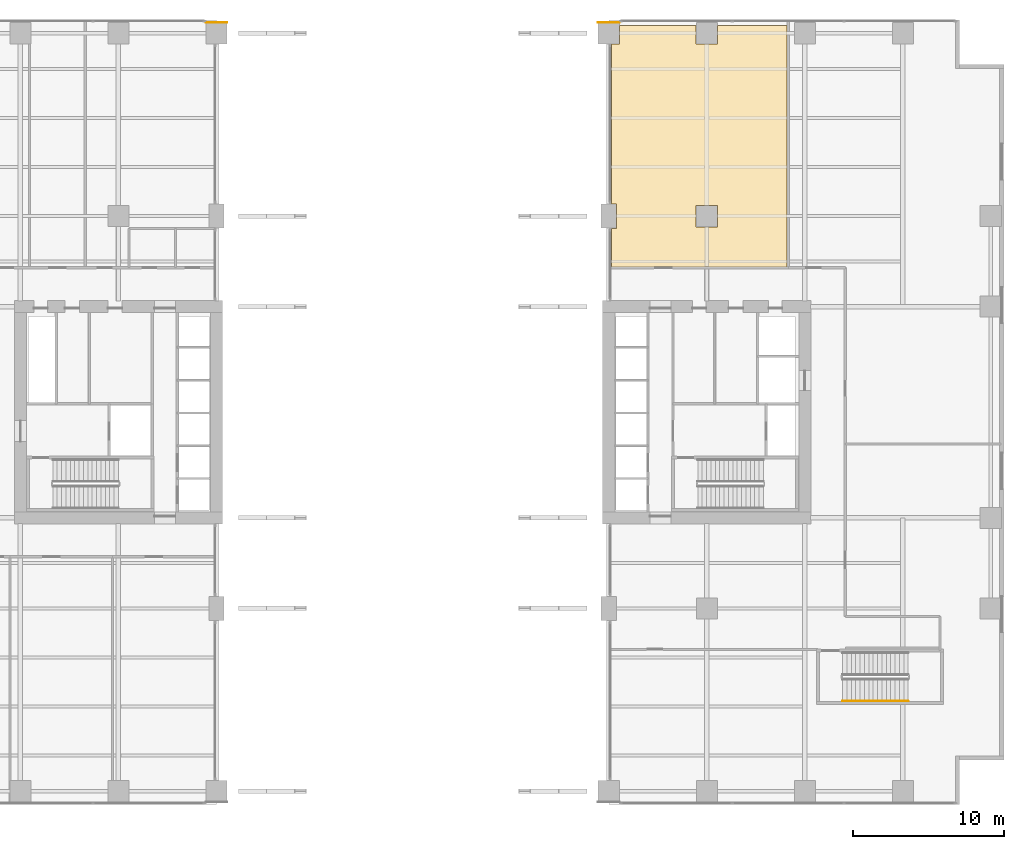
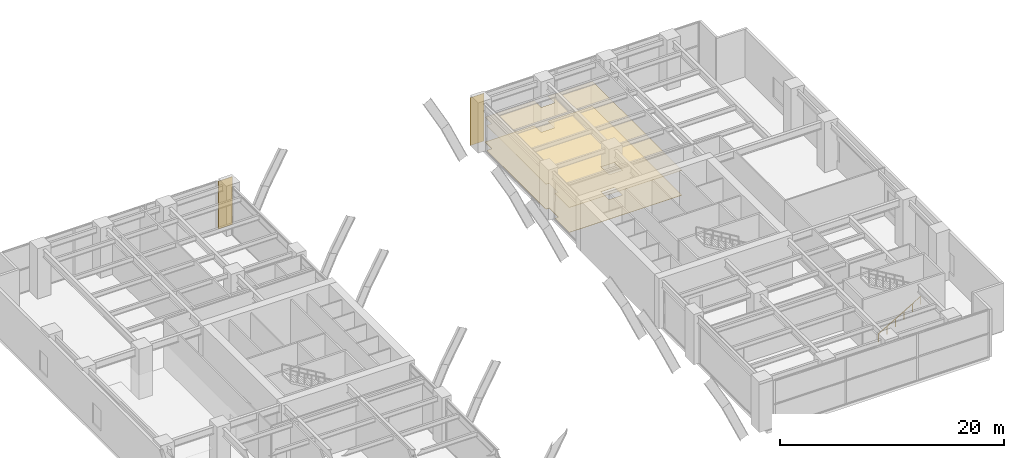
# One storey, part 16 of 17: 4 coverings, 1 railing.
"""IFC4 building model written with IfcOpenShell, lengths in metres."""

from ifc_helpers import new_model, si_unit, direction, frame, origin, origin_2d, place, context, subcontext, project, spatial, polyline, rectangle, circle, outline, extrude, material, layer, layer_set, type_object, element, save


model = new_model("IFC4")

# Units and contexts
model_context = context("Model", 3, precision=1e-05, world=origin(), true_north=direction((0.0, 1.0)))
body_context = subcontext(model_context, "Body", "Model", "MODEL_VIEW")
ifc_project = project(units=[si_unit("LENGTHUNIT", "METRE"), si_unit("AREAUNIT", "SQUARE_METRE"), si_unit("VOLUMEUNIT", "CUBIC_METRE"), si_unit("PLANEANGLEUNIT", "RADIAN"), si_unit("MASSUNIT", "GRAM", prefix="KILO")], contexts=[model_context])

# Site, building, storey
site_placement = place(None, origin())
site = spatial("IfcSite", under=ifc_project, at=site_placement, CompositionType="ELEMENT")
building_placement = place(site_placement, origin())
building = spatial("IfcBuilding", under=site, at=building_placement, Name="Putna Gate Headquarters", CompositionType="ELEMENT")
storey_placement = place(building_placement, frame((0.0, 0.0, 6.0)))
storey = spatial("IfcBuildingStorey", under=building, at=storey_placement, Name="L01", CompositionType="ELEMENT", Elevation=6.0)

# Coverings
ifc_material_1 = material(Name="Perforated mineral-fibre acoustic ceiling tile")
ifc_layer_1 = layer(ifc_material_1, 0.0400390625)
ifc_layer_set_1 = layer_set([ifc_layer_1], Name="Perforated mineral-fibre acoustic ceiling tile")
covering_type_1 = type_object("IfcCoveringType", Name="COV-ACOUSTIC-CEILING", PredefinedType="CEILING", material=ifc_layer_set_1)
covering_1_placement = place(storey_placement, frame((0.0, 0.0, 2.7099609375)))
element("IfcCovering", 1, at=covering_1_placement, inside=storey, type_object=covering_type_1, Name="L01 Acoustic Ceiling Covering 2", PredefinedType="CEILING", context=body_context, shape_type="SweptSolid", body=[
    extrude(outline(polyline([(52.179931640625, 35.6298828125), (63.820068359375, 35.6298828125), (63.820068359375, 51.6201171875), (59.2080078125, 51.6201171875), (59.2080078125, 50.412109375), (57.7919921875, 50.412109375), (57.7919921875, 51.6201171875), (52.7080078125, 51.6201171875), (52.7080078125, 50.412109375), (52.179931640625, 50.412109375), (52.179931640625, 39.80810546875), (52.508056640625, 39.80810546875), (52.508056640625, 38.19189453125), (52.179931640625, 38.19189453125), (52.179931640625, 35.6298828125)]), holes=[polyline([(59.2080078125, 38.2919921875), (59.2080078125, 39.7080078125), (57.7919921875, 39.7080078125), (57.7919921875, 38.2919921875), (59.2080078125, 38.2919921875)])]), origin(), (0.0, 0.0, 1.0), 0.0400390625),
])
ifc_material_2 = material(Name="Anodised architectural bronze rainscreen cladding", Category="aluminium")
ifc_layer_2 = layer(ifc_material_2, 0.0400390625)
ifc_layer_set_2 = layer_set([ifc_layer_2], Name="Anodised architectural bronze rainscreen cladding")
covering_type_2 = type_object("IfcCoveringType", Name="COV-BRONZE-CLADDING", PredefinedType="CLADDING", material=ifc_layer_set_2)
for number, where, z_axis, x_axis, name in (
    (2, (26.0, 51.8349609375, 0.0), (0.0, 0.0, 1.0), (1.0, 0.0, 0.0), "L01 Giant Arch Pier Bronze Cladding WN"),
    (3, (52.0, 51.8349609375, 0.0), (0.0, 0.0, 1.0), (1.0, 0.0, 0.0), "L01 Giant Arch Pier Bronze Cladding EN"),
):
    element("IfcCovering", number, at=place(storey_placement, frame(where, z_axis=z_axis, x_axis=x_axis)), inside=storey, type_object=covering_type_2, Name=name, PredefinedType="CLADDING", context=body_context, shape_type="SweptSolid", body=[
        extrude(rectangle(XDim=1.43994140625, YDim=0.0400390625, at=origin_2d()), origin(), (0.0, 0.0, 1.0), 5.219970703125),
    ])
ifc_material_3 = material(Name="Calcium-sulphate raised access floor finish")
ifc_layer_3 = layer(ifc_material_3, 0.030029296875)
ifc_layer_set_3 = layer_set([ifc_layer_3], Name="Calcium-sulphate raised access floor finish")
covering_type_3 = type_object("IfcCoveringType", Name="COV-RAISED-FLOORING", PredefinedType="FLOORING", material=ifc_layer_set_3)
covering_2_placement = place(storey_placement, origin())
element("IfcCovering", 4, at=covering_2_placement, inside=storey, type_object=covering_type_3, Name="L01 Raised Access Floor Covering 2", PredefinedType="FLOORING", context=body_context, shape_type="SweptSolid", body=[
    extrude(outline(polyline([(52.179931640625, 35.6298828125), (63.820068359375, 35.6298828125), (63.820068359375, 51.6201171875), (59.2080078125, 51.6201171875), (59.2080078125, 50.412109375), (57.7919921875, 50.412109375), (57.7919921875, 51.6201171875), (52.7080078125, 51.6201171875), (52.7080078125, 50.412109375), (52.179931640625, 50.412109375), (52.179931640625, 39.80810546875), (52.508056640625, 39.80810546875), (52.508056640625, 38.19189453125), (52.179931640625, 38.19189453125), (52.179931640625, 35.6298828125)]), holes=[polyline([(59.2080078125, 38.2919921875), (59.2080078125, 39.7080078125), (57.7919921875, 39.7080078125), (57.7919921875, 38.2919921875), (59.2080078125, 38.2919921875)])]), origin(), (0.0, 0.0, 1.0), 0.030029296875),
])

# Railing
ifc_material_4 = material(Name="Brushed stainless steel handrail", Category="steel")
railing_type = type_object("IfcRailingType", Name="RAIL-STAIR-HAND-900", PredefinedType="HANDRAIL", material=ifc_material_4)
railing_placement = place(storey_placement, frame((67.5, 6.85009765625, 0.171875)))
element("IfcRailing", 5, at=railing_placement, inside=storey, type_object=railing_type, Name="L01 ST3 stair handrail 1", PredefinedType="HANDRAIL", context=body_context, shape_type="SweptSolid", body=[
    extrude(circle(Radius=0.02392578125, at=origin_2d()), frame((0.0, 0.0, 0.8759765625), z_axis=(0.860266436404, 0.0, 0.509844739501), x_axis=(0.0, 1.0, 0.0)), (0.0, 0.0, 1.0), 5.056640625),
    extrude(circle(Radius=0.02099609375, at=origin_2d()), origin(), (0.0, 0.0, 1.0), 0.851806640625),
    extrude(circle(Radius=0.02099609375, at=origin_2d()), frame((0.8701171875, 0.0, 0.515625)), (0.0, 0.0, 1.0), 0.851806640625),
    extrude(circle(Radius=0.02099609375, at=origin_2d()), frame((1.739990234375, 0.0, 1.03125)), (0.0, 0.0, 1.0), 0.851806640625),
    extrude(circle(Radius=0.02099609375, at=origin_2d()), frame((2.610107421875, 0.0, 1.546875)), (0.0, 0.0, 1.0), 0.851806640625),
    extrude(circle(Radius=0.02099609375, at=origin_2d()), frame((3.47998046875, 0.0, 2.0625)), (0.0, 0.0, 1.0), 0.851806640625),
    extrude(circle(Radius=0.02099609375, at=origin_2d()), frame((4.35009765625, 0.0, 2.578125)), (0.0, 0.0, 1.0), 0.851806640625),
])

save(model, "model.ifc")
